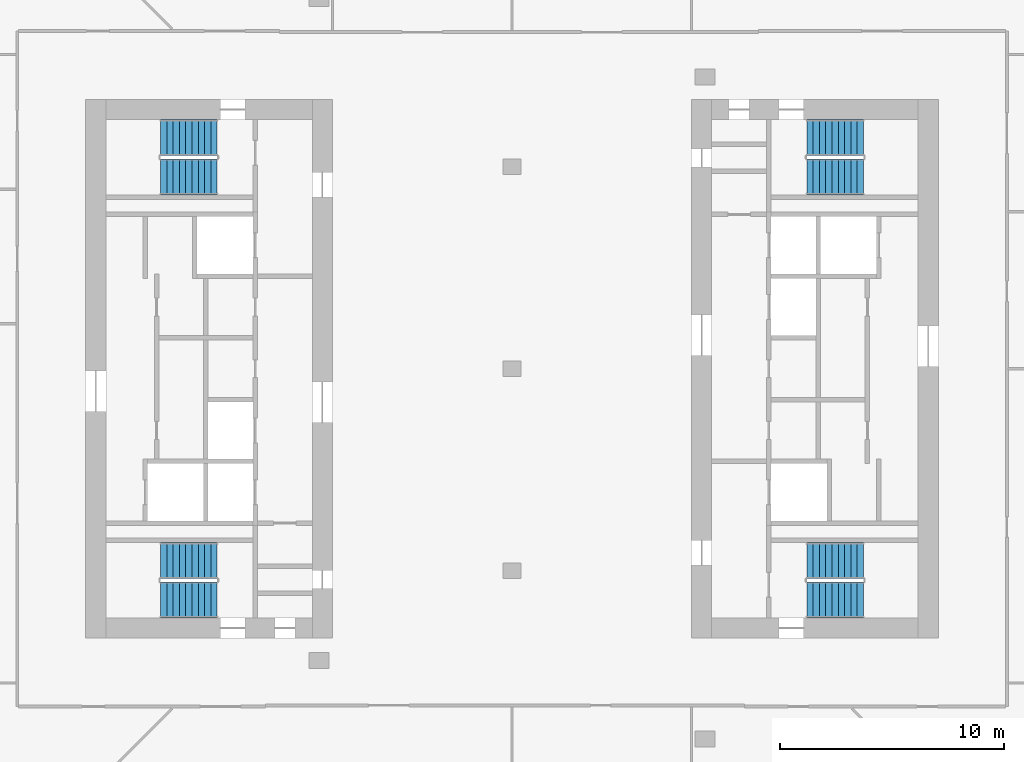
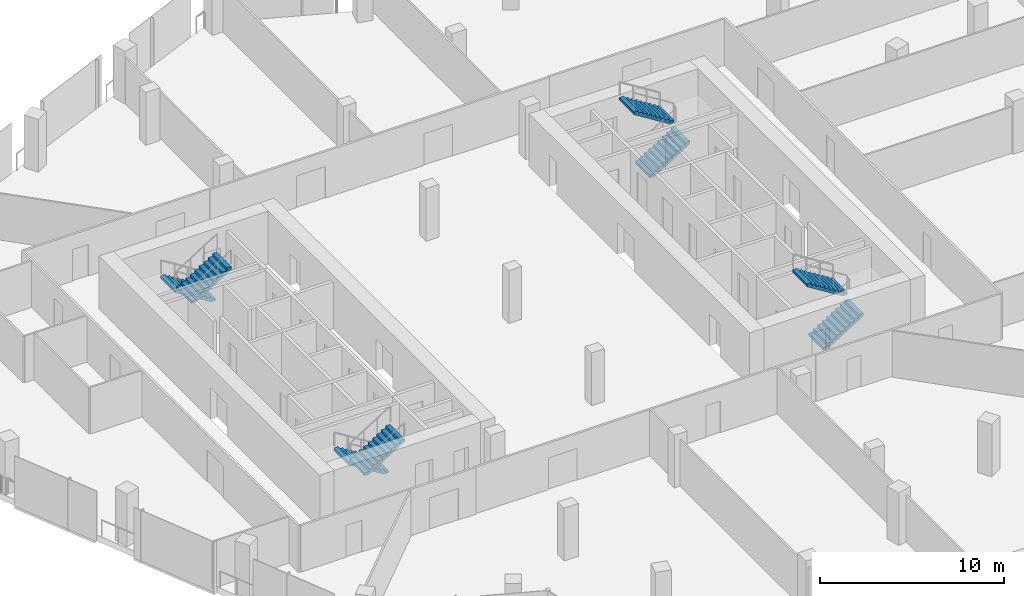
# One storey, part 22 of 26: 8 stair flights, 4 elements without a shape of their own.
"""IFC4 building model written with IfcOpenShell, lengths in metres."""

from ifc_helpers import new_model, si_unit, direction, frame, origin, place, context, subcontext, project, spatial, polyline, outline, extrude, material, type_object, element, aggregate, save


model = new_model("IFC4")

# Units and contexts
model_context = context("Model", 3, precision=1e-05, world=origin(), true_north=direction((0.0, 1.0)))
body_context = subcontext(model_context, "Body", "Model", "MODEL_VIEW")
ifc_project = project(units=[si_unit("LENGTHUNIT", "METRE"), si_unit("AREAUNIT", "SQUARE_METRE"), si_unit("VOLUMEUNIT", "CUBIC_METRE"), si_unit("PLANEANGLEUNIT", "RADIAN"), si_unit("MASSUNIT", "GRAM", prefix="KILO")], contexts=[model_context])

# Site, building, storey
site_placement = place(None, origin())
site = spatial("IfcSite", under=ifc_project, at=site_placement, CompositionType="ELEMENT")
building_placement = place(site_placement, origin())
building = spatial("IfcBuilding", under=site, at=building_placement, Name="Orlundy Tower", CompositionType="ELEMENT")
storey_placement = place(building_placement, frame((0.0, 0.0, 275.39990234375)))
storey = spatial("IfcBuildingStorey", under=building, at=storey_placement, Name="L73", CompositionType="ELEMENT", Elevation=275.39990234375)

# Stair, stair flights
ifc_material_1 = material(Name="Concrete C50/60", Category="concrete")
stair_type = type_object("IfcStairType", Name="Exit Stair 20 risers", PredefinedType="HALF_TURN_STAIR", material=ifc_material_1)
stair_1_placement = place(storey_placement, origin())
stair_1 = element("IfcStair", 1, at=stair_1_placement, inside=storey, type_object=stair_type, Name="L73 Exit Stair ST-W1", PredefinedType="HALF_TURN_STAIR")
ifc_material_2 = material(Name="Concrete C50/60", Category="concrete")
stair_flight_type = type_object("IfcStairFlightType", Name="Stair Flight 10 risers", PredefinedType="STRAIGHT", material=ifc_material_2)
stair_flight_1_placement = place(storey_placement, frame((-13.139892578125, 10.300048828125, 0.0), z_axis=(0.0, 0.0, 1.0), x_axis=(-1.0, 0.0, 0.0)))
stair_flight_1 = element("IfcStairFlight", 2, at=stair_flight_1_placement, type_object=stair_flight_type, Name="ST-W1 flight 1", NumberOfRisers=10, NumberOfTreads=9, PredefinedType="STRAIGHT", RiserHeight=0.175, TreadLength=0.28, context=body_context, shape_type="SweptSolid", body=[
    extrude(outline(polyline([(0.0, 0.0), (0.0, 0.175048828125), (0.280029296875, 0.175048828125), (0.280029296875, 0.35009765625), (0.56005859375, 0.35009765625), (0.56005859375, 0.52490234375), (0.840087890625, 0.52490234375), (0.840087890625, 0.699951171875), (1.1201171875, 0.699951171875), (1.1201171875, 0.875), (1.39990234375, 0.875), (1.39990234375, 1.050048828125), (1.679931640625, 1.050048828125), (1.679931640625, 1.22509765625), (1.9599609375, 1.22509765625), (1.9599609375, 1.39990234375), (2.239990234375, 1.39990234375), (2.239990234375, 1.574951171875), (2.52001953125, 1.574951171875), (2.52001953125, 1.75), (2.52001953125, 1.398193359375), (0.28271484375, 0.0), (0.0, 0.0)])), frame((0.0, 0.800048828125, 0.0), z_axis=(0.0, -1.0, 0.0), x_axis=(1.0, 0.0, 0.0)), (0.0, 0.0, 1.0), 1.60009765625),
])
stair_flight_2_placement = place(storey_placement, frame((-15.659912109375, 8.550048828125, 1.75), z_axis=(0.0, 0.0, 1.0), x_axis=(1.0, 0.0, 0.0)))
stair_flight_2 = element("IfcStairFlight", 3, at=stair_flight_2_placement, type_object=stair_flight_type, Name="ST-W1 flight 2", NumberOfRisers=10, NumberOfTreads=9, PredefinedType="STRAIGHT", RiserHeight=0.175, TreadLength=0.28, context=body_context, shape_type="SweptSolid", body=[
    extrude(outline(polyline([(0.0, 0.0), (0.0, 0.175048828125), (0.280029296875, 0.175048828125), (0.280029296875, 0.35009765625), (0.56005859375, 0.35009765625), (0.56005859375, 0.52490234375), (0.840087890625, 0.52490234375), (0.840087890625, 0.699951171875), (1.1201171875, 0.699951171875), (1.1201171875, 0.875), (1.39990234375, 0.875), (1.39990234375, 1.050048828125), (1.679931640625, 1.050048828125), (1.679931640625, 1.22509765625), (1.9599609375, 1.22509765625), (1.9599609375, 1.39990234375), (2.239990234375, 1.39990234375), (2.239990234375, 1.574951171875), (2.52001953125, 1.574951171875), (2.52001953125, 1.75), (2.52001953125, 1.398193359375), (0.28271484375, 0.0), (0.0, 0.0)])), frame((0.0, 0.800048828125, 0.0), z_axis=(0.0, -1.0, 0.0), x_axis=(1.0, 0.0, 0.0)), (0.0, 0.0, 1.0), 1.60009765625),
])
aggregate(stair_1, [stair_flight_1, stair_flight_2])

stair_2_placement = place(storey_placement, origin())
stair_2 = element("IfcStair", 4, at=stair_2_placement, inside=storey, type_object=stair_type, Name="L73 Exit Stair ST-W2", PredefinedType="HALF_TURN_STAIR")
stair_flight_3_placement = place(storey_placement, frame((-13.139892578125, -8.550048828125, 0.0), z_axis=(0.0, 0.0, 1.0), x_axis=(-1.0, 0.0, 0.0)))
stair_flight_3 = element("IfcStairFlight", 5, at=stair_flight_3_placement, type_object=stair_flight_type, Name="ST-W2 flight 1", NumberOfRisers=10, NumberOfTreads=9, PredefinedType="STRAIGHT", RiserHeight=0.175, TreadLength=0.28, context=body_context, shape_type="SweptSolid", body=[
    extrude(outline(polyline([(0.0, 0.0), (0.0, 0.175048828125), (0.280029296875, 0.175048828125), (0.280029296875, 0.35009765625), (0.56005859375, 0.35009765625), (0.56005859375, 0.52490234375), (0.840087890625, 0.52490234375), (0.840087890625, 0.699951171875), (1.1201171875, 0.699951171875), (1.1201171875, 0.875), (1.39990234375, 0.875), (1.39990234375, 1.050048828125), (1.679931640625, 1.050048828125), (1.679931640625, 1.22509765625), (1.9599609375, 1.22509765625), (1.9599609375, 1.39990234375), (2.239990234375, 1.39990234375), (2.239990234375, 1.574951171875), (2.52001953125, 1.574951171875), (2.52001953125, 1.75), (2.52001953125, 1.398193359375), (0.28271484375, 0.0), (0.0, 0.0)])), frame((0.0, 0.800048828125, 0.0), z_axis=(0.0, -1.0, 0.0), x_axis=(1.0, 0.0, 0.0)), (0.0, 0.0, 1.0), 1.60009765625),
])
stair_flight_4_placement = place(storey_placement, frame((-15.659912109375, -10.300048828125, 1.75), z_axis=(0.0, 0.0, 1.0), x_axis=(1.0, 0.0, 0.0)))
stair_flight_4 = element("IfcStairFlight", 6, at=stair_flight_4_placement, type_object=stair_flight_type, Name="ST-W2 flight 2", NumberOfRisers=10, NumberOfTreads=9, PredefinedType="STRAIGHT", RiserHeight=0.175, TreadLength=0.28, context=body_context, shape_type="SweptSolid", body=[
    extrude(outline(polyline([(0.0, 0.0), (0.0, 0.175048828125), (0.280029296875, 0.175048828125), (0.280029296875, 0.35009765625), (0.56005859375, 0.35009765625), (0.56005859375, 0.52490234375), (0.840087890625, 0.52490234375), (0.840087890625, 0.699951171875), (1.1201171875, 0.699951171875), (1.1201171875, 0.875), (1.39990234375, 0.875), (1.39990234375, 1.050048828125), (1.679931640625, 1.050048828125), (1.679931640625, 1.22509765625), (1.9599609375, 1.22509765625), (1.9599609375, 1.39990234375), (2.239990234375, 1.39990234375), (2.239990234375, 1.574951171875), (2.52001953125, 1.574951171875), (2.52001953125, 1.75), (2.52001953125, 1.398193359375), (0.28271484375, 0.0), (0.0, 0.0)])), frame((0.0, 0.800048828125, 0.0), z_axis=(0.0, -1.0, 0.0), x_axis=(1.0, 0.0, 0.0)), (0.0, 0.0, 1.0), 1.60009765625),
])
aggregate(stair_2, [stair_flight_3, stair_flight_4])

stair_3_placement = place(storey_placement, origin())
stair_3 = element("IfcStair", 7, at=stair_3_placement, inside=storey, type_object=stair_type, Name="L73 Exit Stair ST-E1", PredefinedType="HALF_TURN_STAIR")
stair_flight_5_placement = place(storey_placement, frame((13.139892578125, -10.300048828125, 0.0), z_axis=(0.0, 0.0, 1.0), x_axis=(1.0, 0.0, 0.0)))
stair_flight_5 = element("IfcStairFlight", 8, at=stair_flight_5_placement, type_object=stair_flight_type, Name="ST-E1 flight 1", NumberOfRisers=10, NumberOfTreads=9, PredefinedType="STRAIGHT", RiserHeight=0.175, TreadLength=0.28, context=body_context, shape_type="SweptSolid", body=[
    extrude(outline(polyline([(0.0, 0.0), (0.0, 0.175048828125), (0.280029296875, 0.175048828125), (0.280029296875, 0.35009765625), (0.56005859375, 0.35009765625), (0.56005859375, 0.52490234375), (0.840087890625, 0.52490234375), (0.840087890625, 0.699951171875), (1.1201171875, 0.699951171875), (1.1201171875, 0.875), (1.39990234375, 0.875), (1.39990234375, 1.050048828125), (1.679931640625, 1.050048828125), (1.679931640625, 1.22509765625), (1.9599609375, 1.22509765625), (1.9599609375, 1.39990234375), (2.239990234375, 1.39990234375), (2.239990234375, 1.574951171875), (2.52001953125, 1.574951171875), (2.52001953125, 1.75), (2.52001953125, 1.398193359375), (0.28271484375, 0.0), (0.0, 0.0)])), frame((0.0, 0.800048828125, 0.0), z_axis=(0.0, -1.0, 0.0), x_axis=(1.0, 0.0, 0.0)), (0.0, 0.0, 1.0), 1.60009765625),
])
stair_flight_6_placement = place(storey_placement, frame((15.659912109375, -8.550048828125, 1.75), z_axis=(0.0, 0.0, 1.0), x_axis=(-1.0, 0.0, 0.0)))
stair_flight_6 = element("IfcStairFlight", 9, at=stair_flight_6_placement, type_object=stair_flight_type, Name="ST-E1 flight 2", NumberOfRisers=10, NumberOfTreads=9, PredefinedType="STRAIGHT", RiserHeight=0.175, TreadLength=0.28, context=body_context, shape_type="SweptSolid", body=[
    extrude(outline(polyline([(0.0, 0.0), (0.0, 0.175048828125), (0.280029296875, 0.175048828125), (0.280029296875, 0.35009765625), (0.56005859375, 0.35009765625), (0.56005859375, 0.52490234375), (0.840087890625, 0.52490234375), (0.840087890625, 0.699951171875), (1.1201171875, 0.699951171875), (1.1201171875, 0.875), (1.39990234375, 0.875), (1.39990234375, 1.050048828125), (1.679931640625, 1.050048828125), (1.679931640625, 1.22509765625), (1.9599609375, 1.22509765625), (1.9599609375, 1.39990234375), (2.239990234375, 1.39990234375), (2.239990234375, 1.574951171875), (2.52001953125, 1.574951171875), (2.52001953125, 1.75), (2.52001953125, 1.398193359375), (0.28271484375, 0.0), (0.0, 0.0)])), frame((0.0, 0.800048828125, 0.0), z_axis=(0.0, -1.0, 0.0), x_axis=(1.0, 0.0, 0.0)), (0.0, 0.0, 1.0), 1.60009765625),
])
aggregate(stair_3, [stair_flight_5, stair_flight_6])

stair_4_placement = place(storey_placement, origin())
stair_4 = element("IfcStair", 10, at=stair_4_placement, inside=storey, type_object=stair_type, Name="L73 Exit Stair ST-E2", PredefinedType="HALF_TURN_STAIR")
stair_flight_7_placement = place(storey_placement, frame((13.139892578125, 8.550048828125, 0.0), z_axis=(0.0, 0.0, 1.0), x_axis=(1.0, 0.0, 0.0)))
stair_flight_7 = element("IfcStairFlight", 11, at=stair_flight_7_placement, type_object=stair_flight_type, Name="ST-E2 flight 1", NumberOfRisers=10, NumberOfTreads=9, PredefinedType="STRAIGHT", RiserHeight=0.175, TreadLength=0.28, context=body_context, shape_type="SweptSolid", body=[
    extrude(outline(polyline([(0.0, 0.0), (0.0, 0.175048828125), (0.280029296875, 0.175048828125), (0.280029296875, 0.35009765625), (0.56005859375, 0.35009765625), (0.56005859375, 0.52490234375), (0.840087890625, 0.52490234375), (0.840087890625, 0.699951171875), (1.1201171875, 0.699951171875), (1.1201171875, 0.875), (1.39990234375, 0.875), (1.39990234375, 1.050048828125), (1.679931640625, 1.050048828125), (1.679931640625, 1.22509765625), (1.9599609375, 1.22509765625), (1.9599609375, 1.39990234375), (2.239990234375, 1.39990234375), (2.239990234375, 1.574951171875), (2.52001953125, 1.574951171875), (2.52001953125, 1.75), (2.52001953125, 1.398193359375), (0.28271484375, 0.0), (0.0, 0.0)])), frame((0.0, 0.800048828125, 0.0), z_axis=(0.0, -1.0, 0.0), x_axis=(1.0, 0.0, 0.0)), (0.0, 0.0, 1.0), 1.60009765625),
])
stair_flight_8_placement = place(storey_placement, frame((15.659912109375, 10.300048828125, 1.75), z_axis=(0.0, 0.0, 1.0), x_axis=(-1.0, 0.0, 0.0)))
stair_flight_8 = element("IfcStairFlight", 12, at=stair_flight_8_placement, type_object=stair_flight_type, Name="ST-E2 flight 2", NumberOfRisers=10, NumberOfTreads=9, PredefinedType="STRAIGHT", RiserHeight=0.175, TreadLength=0.28, context=body_context, shape_type="SweptSolid", body=[
    extrude(outline(polyline([(0.0, 0.0), (0.0, 0.175048828125), (0.280029296875, 0.175048828125), (0.280029296875, 0.35009765625), (0.56005859375, 0.35009765625), (0.56005859375, 0.52490234375), (0.840087890625, 0.52490234375), (0.840087890625, 0.699951171875), (1.1201171875, 0.699951171875), (1.1201171875, 0.875), (1.39990234375, 0.875), (1.39990234375, 1.050048828125), (1.679931640625, 1.050048828125), (1.679931640625, 1.22509765625), (1.9599609375, 1.22509765625), (1.9599609375, 1.39990234375), (2.239990234375, 1.39990234375), (2.239990234375, 1.574951171875), (2.52001953125, 1.574951171875), (2.52001953125, 1.75), (2.52001953125, 1.398193359375), (0.28271484375, 0.0), (0.0, 0.0)])), frame((0.0, 0.800048828125, 0.0), z_axis=(0.0, -1.0, 0.0), x_axis=(1.0, 0.0, 0.0)), (0.0, 0.0, 1.0), 1.60009765625),
])
aggregate(stair_4, [stair_flight_7, stair_flight_8])

save(model, "model.ifc")
